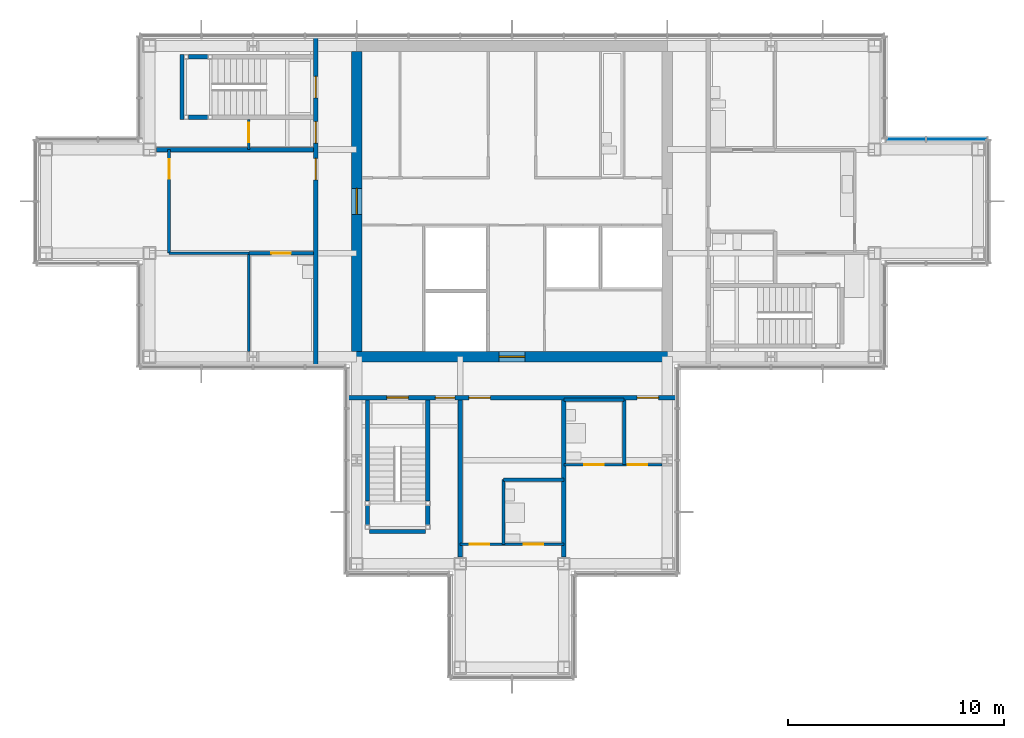
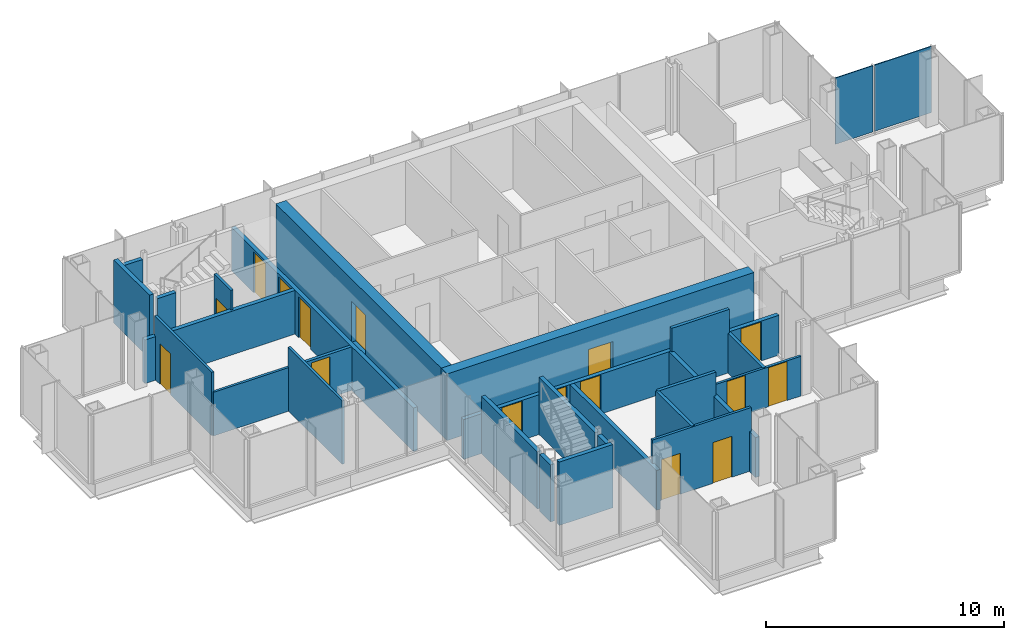
# One storey, part 10 of 15: 26 walls, 16 doors, 2 plates, 16 openings, 1 element without a shape of its own.
"""IFC4 building model written with IfcOpenShell, lengths in metres."""

from ifc_helpers import new_model, si_unit, direction, frame, frame_2d, origin, origin_2d, place, context, subcontext, project, spatial, rectangle, extrude, material, layer, layer_set, type_object, element, fill, aggregate, save


model = new_model("IFC4")

# Units and contexts
model_context = context("Model", 3, precision=1e-05, world=origin(), true_north=direction((0.0, 1.0)))
body_context = subcontext(model_context, "Body", "Model", "MODEL_VIEW")
ifc_project = project(units=[si_unit("LENGTHUNIT", "METRE"), si_unit("AREAUNIT", "SQUARE_METRE"), si_unit("VOLUMEUNIT", "CUBIC_METRE"), si_unit("PLANEANGLEUNIT", "RADIAN"), si_unit("MASSUNIT", "GRAM", prefix="KILO")], contexts=[model_context])

# Site, building, storey
site_placement = place(None, origin())
site = spatial("IfcSite", under=ifc_project, at=site_placement, CompositionType="ELEMENT")
building_placement = place(site_placement, origin())
building = spatial("IfcBuilding", under=site, at=building_placement, Name="Kvirike Care Tower", CompositionType="ELEMENT")
storey_placement = place(building_placement, frame((0.0, 0.0, 240.0)))
storey = spatial("IfcBuildingStorey", under=building, at=storey_placement, Name="L66", CompositionType="ELEMENT", Elevation=240.0)

# Curtain wall, plates
ifc_material_1 = material(Name="Anodised aluminium stick system", Category="aluminium")
curtain_wall_type = type_object("IfcCurtainWallType", Name="CW-D STICK CURTAIN WALL", PredefinedType="NOTDEFINED", material=ifc_material_1)
curtain_wall_placement = place(storey_placement, origin())
curtain_wall = element("IfcCurtainWall", 1, at=curtain_wall_placement, inside=storey, type_object=curtain_wall_type, Name="Curtain wall L66 face 5", PredefinedType="NOTDEFINED")
ifc_material_2 = material(Name="Tinted double glazed unit", Category="glass")
ifc_layer_1 = layer(ifc_material_2, 0.0439453125)
ifc_layer_set_1 = layer_set([ifc_layer_1], Name="TINTED VISION PANEL 44")
plate_type = type_object("IfcPlateType", Name="TINTED VISION PANEL 44", PredefinedType="CURTAIN_PANEL", material=ifc_layer_set_1)
plate_1_placement = place(storey_placement, frame((42.2236328125, 38.8798828125, 0.10009765625), z_axis=(0.0, 0.0, 1.0), x_axis=(-1.0, 0.0, 0.0)))
plate_1 = element("IfcPlate", 2, at=plate_1_placement, type_object=plate_type, Name="CW-D panel L66 face 5.1", PredefinedType="CURTAIN_PANEL", context=body_context, shape_type="SweptSolid", body=[
    extrude(rectangle(XDim=2.782470703125, YDim=0.0439453125, at=origin_2d()), origin(), (0.0, 0.0, 1.0), 3.39990234375),
])
plate_2_placement = place(storey_placement, frame((39.856201171875, 38.8798828125, 0.10009765625), z_axis=(0.0, 0.0, 1.0), x_axis=(-1.0, 0.0, 0.0)))
plate_2 = element("IfcPlate", 3, at=plate_2_placement, type_object=plate_type, Name="CW-D panel L66 face 5.2", PredefinedType="CURTAIN_PANEL", context=body_context, shape_type="SweptSolid", body=[
    extrude(rectangle(XDim=1.822509765625, YDim=0.0439453125, at=origin_2d()), origin(), (0.0, 0.0, 1.0), 3.39990234375),
])
aggregate(curtain_wall, [plate_1, plate_2])

# Wall, opening, door
ifc_material_3 = material(Name="Moisture-resistant board partition", Category="gypsum")
ifc_layer_2 = layer(ifc_material_3, 0.14990234375)
ifc_layer_set_2 = layer_set([ifc_layer_2], Name="BATHROOM WALL 150")
wall_type_1 = type_object("IfcWallType", Name="BATHROOM WALL 150", PredefinedType="PARTITIONING", material=ifc_layer_set_2)
wall_1_placement = place(storey_placement, frame((9.39990234375, 33.60009765625, 0.0), z_axis=(0.0, 0.0, 1.0), x_axis=(1.0, 0.0, 0.0)))
wall_1 = element("IfcWall", 4, at=wall_1_placement, inside=storey, type_object=wall_type_1, Name="Bathroom Wall 150 L66", PredefinedType="PARTITIONING", context=body_context, shape_type="SweptSolid", body=[
    extrude(rectangle(XDim=3.0, YDim=0.14990234375, at=frame_2d((1.5, 0.0))), origin(), (0.0, 0.0, 1.0), 2.239990234375),
])
opening_1_placement = place(wall_1_placement, frame((1.050048828125, 0.0, 0.0)))
opening_1 = element("IfcOpeningElement", 5, at=opening_1_placement, cuts=wall_1, Name="Opening 66-002", PredefinedType="OPENING", context=body_context, shape_type="SweptSolid", body=[
    extrude(rectangle(XDim=0.89990234375, YDim=2.10009765625, at=frame_2d((0.449951171875, 1.050048828125))), frame((0.0, 0.08544921875, 0.0), z_axis=(0.0, -1.0, 0.0), x_axis=(1.0, 0.0, 0.0)), (0.0, 0.0, 1.0), 0.1708984375),
])
ifc_material_4 = material(Name="Timber door set", Category="wood")
door_type_1 = type_object("IfcDoorType", Name="BATHROOM DOOR 900", OperationType="SINGLE_SWING_RIGHT", PredefinedType="DOOR", material=ifc_material_4)
door_1_placement = place(opening_1_placement, frame((0.89990234375, 0.0, 0.0), z_axis=(0.0, 0.0, 1.0), x_axis=(-1.0, 0.0, 0.0)))
door_1 = element("IfcDoor", 6, at=door_1_placement, inside=storey, type_object=door_type_1, Name="Accessible WC door", OperationType="SINGLE_SWING_RIGHT", OverallHeight=2.10009765625, OverallWidth=0.89990234375, PredefinedType="DOOR", context=body_context, shape_type="SweptSolid", body=[
    extrude(rectangle(XDim=0.89990234375, YDim=2.10009765625, at=frame_2d((0.449951171875, 1.050048828125))), frame((0.0, 0.02197265625, 0.0), z_axis=(0.0, -1.0, 0.0), x_axis=(1.0, 0.0, 0.0)), (0.0, 0.0, 1.0), 0.0439453125),
])
fill(opening_1, door_1)

# Walls
wall_2_placement = place(storey_placement, frame((21.199951171875, 20.10009765625, 0.0), z_axis=(0.0, 0.0, 1.0), x_axis=(0.0, 1.0, 0.0)))
element("IfcWall", 7, at=wall_2_placement, inside=storey, type_object=wall_type_1, Name="Bathroom Wall 150 L66", PredefinedType="PARTITIONING", context=body_context, shape_type="SweptSolid", body=[
    extrude(rectangle(XDim=3.0, YDim=0.14990234375, at=frame_2d((1.5, 0.0))), origin(), (0.0, 0.0, 1.0), 3.25),
])
wall_3_placement = place(storey_placement, frame((21.199951171875, 23.10009765625, 0.0), z_axis=(0.0, 0.0, 1.0), x_axis=(1.0, 0.0, 0.0)))
element("IfcWall", 8, at=wall_3_placement, inside=storey, type_object=wall_type_1, Name="Bathroom Wall 150 L66", PredefinedType="PARTITIONING", context=body_context, shape_type="SweptSolid", body=[
    extrude(rectangle(XDim=2.800048828125, YDim=0.14990234375, at=frame_2d((1.39990234375, 0.0))), origin(), (0.0, 0.0, 1.0), 3.25),
])
wall_4_placement = place(storey_placement, frame((26.800048828125, 23.800048828125, 0.0), z_axis=(0.0, 0.0, 1.0), x_axis=(0.0, 1.0, 0.0)))
element("IfcWall", 9, at=wall_4_placement, inside=storey, type_object=wall_type_1, Name="Bathroom Wall 150 L66", PredefinedType="PARTITIONING", context=body_context, shape_type="SweptSolid", body=[
    extrude(rectangle(XDim=3.0, YDim=0.14990234375, at=frame_2d((1.5, 0.0))), origin(), (0.0, 0.0, 1.0), 2.0400390625),
])
wall_5_placement = place(storey_placement, frame((24.0, 26.800048828125, 0.0), z_axis=(0.0, 0.0, 1.0), x_axis=(1.0, 0.0, 0.0)))
element("IfcWall", 10, at=wall_5_placement, inside=storey, type_object=wall_type_1, Name="Bathroom Wall 150 L66", PredefinedType="PARTITIONING", context=body_context, shape_type="SweptSolid", body=[
    extrude(rectangle(XDim=2.800048828125, YDim=0.14990234375, at=frame_2d((1.39990234375, 0.0))), origin(), (0.0, 0.0, 1.0), 3.25),
])

# Wall, opening, door
ifc_material_5 = material(Name="Concrete C40/50", Category="concrete")
ifc_layer_3 = layer(ifc_material_5, 0.5)
ifc_layer_set_3 = layer_set([ifc_layer_3], Name="CORE WALL 500 C40-50")
wall_type_2 = type_object("IfcWallType", Name="CORE WALL 500 C40-50", PredefinedType="SHEAR", material=ifc_layer_set_3)
wall_6_placement = place(storey_placement, frame((14.14990234375, 28.800048828125, -0.169921875), z_axis=(0.0, 0.0, 1.0), x_axis=(1.0, 0.0, 0.0)))
wall_6 = element("IfcWall", 11, at=wall_6_placement, inside=storey, type_object=wall_type_2, Name="Core wall S L66", PredefinedType="SHEAR", context=body_context, shape_type="SweptSolid", body=[
    extrude(rectangle(XDim=14.900146484375, YDim=0.5, at=frame_2d((7.4501953125, 0.0))), origin(), (0.0, 0.0, 1.0), 3.419921875),
])
opening_2_placement = place(wall_6_placement, frame((6.85009765625, 0.0, 0.169921875)))
opening_2 = element("IfcOpeningElement", 12, at=opening_2_placement, cuts=wall_6, Name="Opening 66-034", PredefinedType="OPENING", context=body_context, shape_type="SweptSolid", body=[
    extrude(rectangle(XDim=1.199951171875, YDim=2.10009765625, at=frame_2d((0.60009765625, 1.050048828125))), frame((0.0, 0.260498046875, 0.0), z_axis=(0.0, -1.0, 0.0), x_axis=(1.0, 0.0, 0.0)), (0.0, 0.0, 1.0), 0.52099609375),
])
ifc_material_6 = material(Name="Timber door set", Category="wood")
door_type_2 = type_object("IfcDoorType", Name="CORE DOOR 1200", OperationType="SINGLE_SWING_LEFT", PredefinedType="DOOR", material=ifc_material_6)
door_2_placement = place(opening_2_placement, origin())
door_2 = element("IfcDoor", 13, at=door_2_placement, inside=storey, type_object=door_type_2, Name="Core door S L66", OperationType="SINGLE_SWING_LEFT", OverallHeight=2.10009765625, OverallWidth=1.199951171875, PredefinedType="DOOR", context=body_context, shape_type="SweptSolid", body=[
    extrude(rectangle(XDim=1.199951171875, YDim=2.10009765625, at=frame_2d((0.60009765625, 1.050048828125))), frame((0.0, 0.02685546875, 0.0), z_axis=(0.0, -1.0, 0.0), x_axis=(1.0, 0.0, 0.0)), (0.0, 0.0, 1.0), 0.053955078125),
])
fill(opening_2, door_2)

wall_7_placement = place(storey_placement, frame((14.39990234375, 42.949951171875, -0.169921875), z_axis=(0.0, 0.0, 1.0), x_axis=(0.0, -1.0, 0.0)))
wall_7 = element("IfcWall", 14, at=wall_7_placement, inside=storey, type_object=wall_type_2, Name="Core wall W L66", PredefinedType="SHEAR", context=body_context, shape_type="SweptSolid", body=[
    extrude(rectangle(XDim=13.89990234375, YDim=0.5, at=frame_2d((6.949951171875, 0.0))), origin(), (0.0, 0.0, 1.0), 3.419921875),
])
opening_3_placement = place(wall_7_placement, frame((6.35009765625, 0.0, 0.169921875)))
opening_3 = element("IfcOpeningElement", 15, at=opening_3_placement, cuts=wall_7, Name="Opening 66-035", PredefinedType="OPENING", context=body_context, shape_type="SweptSolid", body=[
    extrude(rectangle(XDim=1.199951171875, YDim=2.10009765625, at=frame_2d((0.60009765625, 1.050048828125))), frame((0.0, 0.260498046875, 0.0), z_axis=(0.0, -1.0, 0.0), x_axis=(1.0, 0.0, 0.0)), (0.0, 0.0, 1.0), 0.52099609375),
])
door_3_placement = place(opening_3_placement, origin())
door_3 = element("IfcDoor", 16, at=door_3_placement, inside=storey, type_object=door_type_2, Name="Core door W L66", OperationType="SINGLE_SWING_LEFT", OverallHeight=2.10009765625, OverallWidth=1.199951171875, PredefinedType="DOOR", context=body_context, shape_type="SweptSolid", body=[
    extrude(rectangle(XDim=1.199951171875, YDim=2.10009765625, at=frame_2d((0.60009765625, 1.050048828125))), frame((0.0, 0.02685546875, 0.0), z_axis=(0.0, -1.0, 0.0), x_axis=(1.0, 0.0, 0.0)), (0.0, 0.0, 1.0), 0.053955078125),
])
fill(opening_3, door_3)

# Wall, openings, doors
ifc_material_7 = material(Name="Plasterboard corridor wall", Category="gypsum")
ifc_layer_4 = layer(ifc_material_7, 0.199951171875)
ifc_layer_set_4 = layer_set([ifc_layer_4], Name="CORRIDOR WALL 200")
wall_type_3 = type_object("IfcWallType", Name="CORRIDOR WALL 200", PredefinedType="PARTITIONING", material=ifc_layer_set_4)
wall_8_placement = place(storey_placement, frame((12.5, 43.655029296875, 0.0), z_axis=(0.0, 0.0, 1.0), x_axis=(0.0, -1.0, 0.0)))
wall_8 = element("IfcWall", 17, at=wall_8_placement, inside=storey, type_object=wall_type_3, Name="Corridor Wall 200 L66", PredefinedType="PARTITIONING", context=body_context, shape_type="SweptSolid", body=[
    extrude(rectangle(XDim=15.31005859375, YDim=0.199951171875, at=frame_2d((7.655029296875, 0.0))), origin(), (0.0, 0.0, 1.0), 2.239990234375),
])
opening_4_placement = place(wall_8_placement, frame((1.85498046875, 0.0, 0.0)))
opening_4 = element("IfcOpeningElement", 18, at=opening_4_placement, cuts=wall_8, Name="Opening 66-004", PredefinedType="OPENING", context=body_context, shape_type="SweptSolid", body=[
    extrude(rectangle(XDim=1.0, YDim=2.10009765625, at=frame_2d((0.5, 1.050048828125))), frame((0.0, 0.110595703125, 0.0), z_axis=(0.0, -1.0, 0.0), x_axis=(1.0, 0.0, 0.0)), (0.0, 0.0, 1.0), 0.220947265625),
])
opening_5_placement = place(wall_8_placement, frame((3.955078125, 0.0, 0.0)))
opening_5 = element("IfcOpeningElement", 19, at=opening_5_placement, cuts=wall_8, Name="Opening 66-005", PredefinedType="OPENING", context=body_context, shape_type="SweptSolid", body=[
    extrude(rectangle(XDim=1.0, YDim=2.10009765625, at=frame_2d((0.5, 1.050048828125))), frame((0.0, 0.110595703125, 0.0), z_axis=(0.0, -1.0, 0.0), x_axis=(1.0, 0.0, 0.0)), (0.0, 0.0, 1.0), 0.220947265625),
])
opening_6_placement = place(wall_8_placement, frame((5.655029296875, 0.0, 0.0)))
opening_6 = element("IfcOpeningElement", 20, at=opening_6_placement, cuts=wall_8, Name="Opening 66-006", PredefinedType="OPENING", context=body_context, shape_type="SweptSolid", body=[
    extrude(rectangle(XDim=1.0, YDim=2.10009765625, at=frame_2d((0.5, 1.050048828125))), frame((0.0, 0.110595703125, 0.0), z_axis=(0.0, -1.0, 0.0), x_axis=(1.0, 0.0, 0.0)), (0.0, 0.0, 1.0), 0.220947265625),
])
ifc_material_8 = material(Name="Timber door set", Category="wood")
door_type_3 = type_object("IfcDoorType", Name="FLAT ENTRANCE DOOR 1000", OperationType="SINGLE_SWING_LEFT", PredefinedType="DOOR", material=ifc_material_8)
door_4_placement = place(opening_5_placement, frame((1.0, 0.0, 0.0), z_axis=(0.0, 0.0, 1.0), x_axis=(-1.0, 0.0, 0.0)))
door_4 = element("IfcDoor", 21, at=door_4_placement, inside=storey, type_object=door_type_3, Name="Care base entrance", OperationType="SINGLE_SWING_LEFT", OverallHeight=2.10009765625, OverallWidth=1.0, PredefinedType="DOOR", context=body_context, shape_type="SweptSolid", body=[
    extrude(rectangle(XDim=1.0, YDim=2.10009765625, at=frame_2d((0.5, 1.050048828125))), frame((0.0, 0.02685546875, 0.0), z_axis=(0.0, -1.0, 0.0), x_axis=(1.0, 0.0, 0.0)), (0.0, 0.0, 1.0), 0.053955078125),
])
fill(opening_5, door_4)
door_5_placement = place(opening_6_placement, frame((1.0, 0.0, 0.0), z_axis=(0.0, 0.0, 1.0), x_axis=(-1.0, 0.0, 0.0)))
door_5 = element("IfcDoor", 22, at=door_5_placement, inside=storey, type_object=door_type_3, Name="Family room entrance", OperationType="SINGLE_SWING_LEFT", OverallHeight=2.10009765625, OverallWidth=1.0, PredefinedType="DOOR", context=body_context, shape_type="SweptSolid", body=[
    extrude(rectangle(XDim=1.0, YDim=2.10009765625, at=frame_2d((0.5, 1.050048828125))), frame((0.0, 0.02685546875, 0.0), z_axis=(0.0, -1.0, 0.0), x_axis=(1.0, 0.0, 0.0)), (0.0, 0.0, 1.0), 0.053955078125),
])
fill(opening_6, door_5)
ifc_material_9 = material(Name="Timber door set", Category="wood")
door_type_4 = type_object("IfcDoorType", Name="STAIR DOOR 1000", OperationType="SINGLE_SWING_LEFT", PredefinedType="DOOR", material=ifc_material_9)
door_6_placement = place(opening_4_placement, frame((1.0, 0.0, 0.0), z_axis=(0.0, 0.0, 1.0), x_axis=(-1.0, 0.0, 0.0)))
door_6 = element("IfcDoor", 23, at=door_6_placement, inside=storey, type_object=door_type_4, Name="Stair 1 door", OperationType="SINGLE_SWING_RIGHT", OverallHeight=2.10009765625, OverallWidth=1.0, PredefinedType="DOOR", context=body_context, shape_type="SweptSolid", body=[
    extrude(rectangle(XDim=1.0, YDim=2.10009765625, at=frame_2d((0.5, 1.050048828125))), frame((0.0, 0.031982421875, 0.0), z_axis=(0.0, -1.0, 0.0), x_axis=(1.0, 0.0, 0.0)), (0.0, 0.0, 1.0), 0.06396484375),
])
fill(opening_4, door_6)

wall_9_placement = place(storey_placement, frame((13.945068359375, 26.89990234375, 0.0), z_axis=(0.0, 0.0, 1.0), x_axis=(1.0, 0.0, 0.0)))
wall_9 = element("IfcWall", 24, at=wall_9_placement, inside=storey, type_object=wall_type_3, Name="Corridor Wall 200 L66", PredefinedType="PARTITIONING", context=body_context, shape_type="SweptSolid", body=[
    extrude(rectangle(XDim=15.309814453125, YDim=0.199951171875, at=frame_2d((7.65478515625, 0.0))), origin(), (0.0, 0.0, 1.0), 2.0400390625),
])
opening_7_placement = place(wall_9_placement, frame((1.85498046875, 0.0, 0.0)))
opening_7 = element("IfcOpeningElement", 25, at=opening_7_placement, cuts=wall_9, Name="Opening 66-011", PredefinedType="OPENING", context=body_context, shape_type="SweptSolid", body=[
    extrude(rectangle(XDim=1.0, YDim=2.0, at=frame_2d((0.5, 1.0))), frame((0.0, 0.110595703125, 0.0), z_axis=(0.0, -1.0, 0.0), x_axis=(1.0, 0.0, 0.0)), (0.0, 0.0, 1.0), 0.220947265625),
])
opening_8_placement = place(wall_9_placement, frame((4.10498046875, 0.0, 0.0)))
opening_8 = element("IfcOpeningElement", 26, at=opening_8_placement, cuts=wall_9, Name="Opening 66-012", PredefinedType="OPENING", context=body_context, shape_type="SweptSolid", body=[
    extrude(rectangle(XDim=0.89990234375, YDim=2.0, at=frame_2d((0.449951171875, 1.0))), frame((0.0, 0.110595703125, 0.0), z_axis=(0.0, -1.0, 0.0), x_axis=(1.0, 0.0, 0.0)), (0.0, 0.0, 1.0), 0.220947265625),
])
opening_9_placement = place(wall_9_placement, frame((5.655029296875, 0.0, 0.0)))
opening_9 = element("IfcOpeningElement", 27, at=opening_9_placement, cuts=wall_9, Name="Opening 66-013", PredefinedType="OPENING", context=body_context, shape_type="SweptSolid", body=[
    extrude(rectangle(XDim=1.0, YDim=2.0, at=frame_2d((0.5, 1.0))), frame((0.0, 0.110595703125, 0.0), z_axis=(0.0, -1.0, 0.0), x_axis=(1.0, 0.0, 0.0)), (0.0, 0.0, 1.0), 0.220947265625),
])
opening_10_placement = place(wall_9_placement, frame((13.455078125, 0.0, 0.0)))
opening_10 = element("IfcOpeningElement", 28, at=opening_10_placement, cuts=wall_9, Name="Opening 66-014", PredefinedType="OPENING", context=body_context, shape_type="SweptSolid", body=[
    extrude(rectangle(XDim=1.0, YDim=2.0, at=frame_2d((0.5, 1.0))), frame((0.0, 0.110595703125, 0.0), z_axis=(0.0, -1.0, 0.0), x_axis=(1.0, 0.0, 0.0)), (0.0, 0.0, 1.0), 0.220947265625),
])
ifc_material_10 = material(Name="Timber door set", Category="wood")
door_type_5 = type_object("IfcDoorType", Name="FLAT ENTRANCE DOOR 1000 x 2000", OperationType="SINGLE_SWING_LEFT", PredefinedType="DOOR", material=ifc_material_10)
door_7_placement = place(opening_9_placement, frame((1.0, 0.0, 0.0), z_axis=(0.0, 0.0, 1.0), x_axis=(-1.0, 0.0, 0.0)))
door_7 = element("IfcDoor", 29, at=door_7_placement, inside=storey, type_object=door_type_5, Name="Palliative care suite entrance", OperationType="SINGLE_SWING_LEFT", OverallHeight=2.0, OverallWidth=1.0, PredefinedType="DOOR", context=body_context, shape_type="SweptSolid", body=[
    extrude(rectangle(XDim=1.0, YDim=2.0, at=frame_2d((0.5, 1.0))), frame((0.0, 0.02685546875, 0.0), z_axis=(0.0, -1.0, 0.0), x_axis=(1.0, 0.0, 0.0)), (0.0, 0.0, 1.0), 0.053955078125),
])
fill(opening_9, door_7)
door_8_placement = place(opening_10_placement, frame((1.0, 0.0, 0.0), z_axis=(0.0, 0.0, 1.0), x_axis=(-1.0, 0.0, 0.0)))
door_8 = element("IfcDoor", 30, at=door_8_placement, inside=storey, type_object=door_type_5, Name="Palliative care suite entrance", OperationType="SINGLE_SWING_RIGHT", OverallHeight=2.0, OverallWidth=1.0, PredefinedType="DOOR", context=body_context, shape_type="SweptSolid", body=[
    extrude(rectangle(XDim=1.0, YDim=2.0, at=frame_2d((0.5, 1.0))), frame((0.0, 0.02685546875, 0.0), z_axis=(0.0, -1.0, 0.0), x_axis=(1.0, 0.0, 0.0)), (0.0, 0.0, 1.0), 0.053955078125),
])
fill(opening_10, door_8)
ifc_material_11 = material(Name="Timber door set", Category="wood")
door_type_6 = type_object("IfcDoorType", Name="STAIR DOOR 1000 x 2000", OperationType="SINGLE_SWING_LEFT", PredefinedType="DOOR", material=ifc_material_11)
door_9_placement = place(opening_7_placement, frame((1.0, 0.0, 0.0), z_axis=(0.0, 0.0, 1.0), x_axis=(-1.0, 0.0, 0.0)))
door_9 = element("IfcDoor", 31, at=door_9_placement, inside=storey, type_object=door_type_6, Name="Stair 5 door", OperationType="SINGLE_SWING_RIGHT", OverallHeight=2.0, OverallWidth=1.0, PredefinedType="DOOR", context=body_context, shape_type="SweptSolid", body=[
    extrude(rectangle(XDim=1.0, YDim=2.0, at=frame_2d((0.5, 1.0))), frame((0.0, 0.031982421875, 0.0), z_axis=(0.0, -1.0, 0.0), x_axis=(1.0, 0.0, 0.0)), (0.0, 0.0, 1.0), 0.06396484375),
])
fill(opening_7, door_9)
ifc_material_12 = material(Name="Timber door set", Category="wood")
door_type_7 = type_object("IfcDoorType", Name="STORE DOOR 900 x 2000", OperationType="SINGLE_SWING_LEFT", PredefinedType="DOOR", material=ifc_material_12)
door_10_placement = place(opening_8_placement, frame((0.89990234375, 0.0, 0.0), z_axis=(0.0, 0.0, 1.0), x_axis=(-1.0, 0.0, 0.0)))
door_10 = element("IfcDoor", 32, at=door_10_placement, inside=storey, type_object=door_type_7, Name="Housekeeping room door", OperationType="SINGLE_SWING_RIGHT", OverallHeight=2.0, OverallWidth=0.89990234375, PredefinedType="DOOR", context=body_context, shape_type="SweptSolid", body=[
    extrude(rectangle(XDim=0.89990234375, YDim=2.0, at=frame_2d((0.449951171875, 1.0))), frame((0.0, 0.02685546875, 0.0), z_axis=(0.0, -1.0, 0.0), x_axis=(1.0, 0.0, 0.0)), (0.0, 0.0, 1.0), 0.053955078125),
])
fill(opening_8, door_10)

# Wall, opening, door
ifc_material_13 = material(Name="Plasterboard partition", Category="gypsum")
ifc_layer_5 = layer(ifc_material_13, 0.1201171875)
ifc_layer_set_5 = layer_set([ifc_layer_5], Name="PARTITION 120")
wall_type_4 = type_object("IfcWallType", Name="PARTITION 120", PredefinedType="PARTITIONING", material=ifc_layer_set_5)
wall_10_placement = place(storey_placement, frame((9.39990234375, 39.800048828125, 0.0), z_axis=(0.0, 0.0, 1.0), x_axis=(0.0, -1.0, 0.0)))
wall_10 = element("IfcWall", 33, at=wall_10_placement, inside=storey, type_object=wall_type_4, Name="Partition 120 L66", PredefinedType="PARTITIONING", context=body_context, shape_type="SweptSolid", body=[
    extrude(rectangle(XDim=1.400146484375, YDim=0.1201171875, at=frame_2d((0.7001953125, 0.0))), origin(), (0.0, 0.0, 1.0), 3.25),
])
opening_11_placement = place(wall_10_placement, frame((0.14990234375, 0.0, 0.0)))
opening_11 = element("IfcOpeningElement", 34, at=opening_11_placement, cuts=wall_10, Name="Opening 66-001", PredefinedType="OPENING", context=body_context, shape_type="SweptSolid", body=[
    extrude(rectangle(XDim=0.89990234375, YDim=2.10009765625, at=frame_2d((0.449951171875, 1.050048828125))), frame((0.0, 0.070556640625, 0.0), z_axis=(0.0, -1.0, 0.0), x_axis=(1.0, 0.0, 0.0)), (0.0, 0.0, 1.0), 0.14111328125),
])
ifc_material_14 = material(Name="Timber door set", Category="wood")
door_type_8 = type_object("IfcDoorType", Name="INTERNAL DOOR 900", OperationType="SINGLE_SWING_LEFT", PredefinedType="DOOR", material=ifc_material_14)
door_11_placement = place(opening_11_placement, origin())
door_11 = element("IfcDoor", 35, at=door_11_placement, inside=storey, type_object=door_type_8, Name="Quiet room door", OperationType="SINGLE_SWING_RIGHT", OverallHeight=2.10009765625, OverallWidth=0.89990234375, PredefinedType="DOOR", context=body_context, shape_type="SweptSolid", body=[
    extrude(rectangle(XDim=0.89990234375, YDim=2.10009765625, at=frame_2d((0.449951171875, 1.050048828125))), frame((0.0, 0.02197265625, 0.0), z_axis=(0.0, -1.0, 0.0), x_axis=(1.0, 0.0, 0.0)), (0.0, 0.0, 1.0), 0.0439453125),
])
fill(opening_11, door_11)

wall_11_placement = place(storey_placement, frame((5.699951171875, 38.39990234375, 0.0), z_axis=(0.0, 0.0, 1.0), x_axis=(0.0, -1.0, 0.0)))
wall_11 = element("IfcWall", 36, at=wall_11_placement, inside=storey, type_object=wall_type_4, Name="Partition 120 L66", PredefinedType="PARTITIONING", context=body_context, shape_type="SweptSolid", body=[
    extrude(rectangle(XDim=4.7998046875, YDim=0.1201171875, at=frame_2d((2.39990234375, 0.0))), origin(), (0.0, 0.0, 1.0), 3.25),
])
opening_12_placement = place(wall_11_placement, frame((0.449951171875, 0.0, 0.0)))
opening_12 = element("IfcOpeningElement", 37, at=opening_12_placement, cuts=wall_11, Name="Opening 66-003", PredefinedType="OPENING", context=body_context, shape_type="SweptSolid", body=[
    extrude(rectangle(XDim=0.89990234375, YDim=2.10009765625, at=frame_2d((0.449951171875, 1.050048828125))), frame((0.0, 0.070556640625, 0.0), z_axis=(0.0, -1.0, 0.0), x_axis=(1.0, 0.0, 0.0)), (0.0, 0.0, 1.0), 0.14111328125),
])
door_12_placement = place(opening_12_placement, origin())
door_12 = element("IfcDoor", 38, at=door_12_placement, inside=storey, type_object=door_type_8, Name="Family room door", OperationType="SINGLE_SWING_RIGHT", OverallHeight=2.10009765625, OverallWidth=0.89990234375, PredefinedType="DOOR", context=body_context, shape_type="SweptSolid", body=[
    extrude(rectangle(XDim=0.89990234375, YDim=2.10009765625, at=frame_2d((0.449951171875, 1.050048828125))), frame((0.0, 0.02197265625, 0.0), z_axis=(0.0, -1.0, 0.0), x_axis=(1.0, 0.0, 0.0)), (0.0, 0.0, 1.0), 0.0439453125),
])
fill(opening_12, door_12)

# Walls
wall_12_placement = place(storey_placement, frame((9.39990234375, 33.60009765625, 0.0), z_axis=(0.0, 0.0, 1.0), x_axis=(0.0, -1.0, 0.0)))
element("IfcWall", 39, at=wall_12_placement, inside=storey, type_object=wall_type_4, Name="Partition 120 L66", PredefinedType="PARTITIONING", context=body_context, shape_type="SweptSolid", body=[
    extrude(rectangle(XDim=4.55615234375, YDim=0.1201171875, at=frame_2d((2.278076171875, 0.0))), origin(), (0.0, 0.0, 1.0), 3.25),
])
wall_13_placement = place(storey_placement, frame((5.699951171875, 33.60009765625, 0.0), z_axis=(0.0, 0.0, 1.0), x_axis=(1.0, 0.0, 0.0)))
element("IfcWall", 40, at=wall_13_placement, inside=storey, type_object=wall_type_4, Name="Partition 120 L66", PredefinedType="PARTITIONING", context=body_context, shape_type="SweptSolid", body=[
    extrude(rectangle(XDim=3.699951171875, YDim=0.1201171875, at=frame_2d((1.85009765625, 0.0))), origin(), (0.0, 0.0, 1.0), 2.239990234375),
])

# Wall, openings, doors
wall_14_placement = place(storey_placement, frame((19.199951171875, 20.10009765625, 0.0), z_axis=(0.0, 0.0, 1.0), x_axis=(1.0, 0.0, 0.0)))
wall_14 = element("IfcWall", 41, at=wall_14_placement, inside=storey, type_object=wall_type_4, Name="Partition 120 L66", PredefinedType="PARTITIONING", context=body_context, shape_type="SweptSolid", body=[
    extrude(rectangle(XDim=4.800048828125, YDim=0.1201171875, at=frame_2d((2.39990234375, 0.0))), origin(), (0.0, 0.0, 1.0), 3.25),
])
opening_13_placement = place(wall_14_placement, frame((0.449951171875, 0.0, 0.0)))
opening_13 = element("IfcOpeningElement", 42, at=opening_13_placement, cuts=wall_14, Name="Opening 66-007", PredefinedType="OPENING", context=body_context, shape_type="SweptSolid", body=[
    extrude(rectangle(XDim=0.89990234375, YDim=2.10009765625, at=frame_2d((0.449951171875, 1.050048828125))), frame((0.0, 0.070556640625, 0.0), z_axis=(0.0, -1.0, 0.0), x_axis=(1.0, 0.0, 0.0)), (0.0, 0.0, 1.0), 0.14111328125),
])
opening_14_placement = place(wall_14_placement, frame((2.949951171875, 0.0, 0.0)))
opening_14 = element("IfcOpeningElement", 43, at=opening_14_placement, cuts=wall_14, Name="Opening 66-008", PredefinedType="OPENING", context=body_context, shape_type="SweptSolid", body=[
    extrude(rectangle(XDim=0.89990234375, YDim=2.10009765625, at=frame_2d((0.449951171875, 1.050048828125))), frame((0.0, 0.070556640625, 0.0), z_axis=(0.0, -1.0, 0.0), x_axis=(1.0, 0.0, 0.0)), (0.0, 0.0, 1.0), 0.14111328125),
])
door_13_placement = place(opening_14_placement, origin())
door_13 = element("IfcDoor", 44, at=door_13_placement, inside=storey, type_object=door_type_1, Name="En-suite door", OperationType="SINGLE_SWING_RIGHT", OverallHeight=2.10009765625, OverallWidth=0.89990234375, PredefinedType="DOOR", context=body_context, shape_type="SweptSolid", body=[
    extrude(rectangle(XDim=0.89990234375, YDim=2.10009765625, at=frame_2d((0.449951171875, 1.050048828125))), frame((0.0, 0.02197265625, 0.0), z_axis=(0.0, -1.0, 0.0), x_axis=(1.0, 0.0, 0.0)), (0.0, 0.0, 1.0), 0.0439453125),
])
fill(opening_14, door_13)
door_14_placement = place(opening_13_placement, origin())
door_14 = element("IfcDoor", 45, at=door_14_placement, inside=storey, type_object=door_type_8, Name="Palliative care suite door", OperationType="SINGLE_SWING_RIGHT", OverallHeight=2.10009765625, OverallWidth=0.89990234375, PredefinedType="DOOR", context=body_context, shape_type="SweptSolid", body=[
    extrude(rectangle(XDim=0.89990234375, YDim=2.10009765625, at=frame_2d((0.449951171875, 1.050048828125))), frame((0.0, 0.02197265625, 0.0), z_axis=(0.0, -1.0, 0.0), x_axis=(1.0, 0.0, 0.0)), (0.0, 0.0, 1.0), 0.0439453125),
])
fill(opening_13, door_14)

wall_15_placement = place(storey_placement, frame((24.0, 23.800048828125, 0.0), z_axis=(0.0, 0.0, 1.0), x_axis=(1.0, 0.0, 0.0)))
wall_15 = element("IfcWall", 46, at=wall_15_placement, inside=storey, type_object=wall_type_4, Name="Partition 120 L66", PredefinedType="PARTITIONING", context=body_context, shape_type="SweptSolid", body=[
    extrude(rectangle(XDim=4.555908203125, YDim=0.1201171875, at=frame_2d((2.27783203125, 0.0))), origin(), (0.0, 0.0, 1.0), 2.0400390625),
])
opening_15_placement = place(wall_15_placement, frame((2.97509765625, 0.0, 0.0)))
opening_15 = element("IfcOpeningElement", 47, at=opening_15_placement, cuts=wall_15, Name="Opening 66-009", PredefinedType="OPENING", context=body_context, shape_type="SweptSolid", body=[
    extrude(rectangle(XDim=0.89990234375, YDim=2.0, at=frame_2d((0.449951171875, 1.0))), frame((0.0, 0.070556640625, 0.0), z_axis=(0.0, -1.0, 0.0), x_axis=(1.0, 0.0, 0.0)), (0.0, 0.0, 1.0), 0.14111328125),
])
opening_16_placement = place(wall_15_placement, frame((0.949951171875, 0.0, 0.0)))
opening_16 = element("IfcOpeningElement", 48, at=opening_16_placement, cuts=wall_15, Name="Opening 66-010", PredefinedType="OPENING", context=body_context, shape_type="SweptSolid", body=[
    extrude(rectangle(XDim=0.89990234375, YDim=2.0, at=frame_2d((0.449951171875, 1.0))), frame((0.0, 0.070556640625, 0.0), z_axis=(0.0, -1.0, 0.0), x_axis=(1.0, 0.0, 0.0)), (0.0, 0.0, 1.0), 0.14111328125),
])
ifc_material_15 = material(Name="Timber door set", Category="wood")
door_type_9 = type_object("IfcDoorType", Name="BATHROOM DOOR 900 x 2000", OperationType="SINGLE_SWING_RIGHT", PredefinedType="DOOR", material=ifc_material_15)
door_15_placement = place(opening_16_placement, origin())
door_15 = element("IfcDoor", 49, at=door_15_placement, inside=storey, type_object=door_type_9, Name="En-suite door", OperationType="SINGLE_SWING_RIGHT", OverallHeight=2.0, OverallWidth=0.89990234375, PredefinedType="DOOR", context=body_context, shape_type="SweptSolid", body=[
    extrude(rectangle(XDim=0.89990234375, YDim=2.0, at=frame_2d((0.449951171875, 1.0))), frame((0.0, 0.02197265625, 0.0), z_axis=(0.0, -1.0, 0.0), x_axis=(1.0, 0.0, 0.0)), (0.0, 0.0, 1.0), 0.0439453125),
])
fill(opening_16, door_15)
ifc_material_16 = material(Name="Timber door set", Category="wood")
door_type_10 = type_object("IfcDoorType", Name="INTERNAL DOOR 900 x 2000", OperationType="SINGLE_SWING_LEFT", PredefinedType="DOOR", material=ifc_material_16)
door_16_placement = place(opening_15_placement, origin())
door_16 = element("IfcDoor", 50, at=door_16_placement, inside=storey, type_object=door_type_10, Name="Palliative care suite door", OperationType="SINGLE_SWING_RIGHT", OverallHeight=2.0, OverallWidth=0.89990234375, PredefinedType="DOOR", context=body_context, shape_type="SweptSolid", body=[
    extrude(rectangle(XDim=0.89990234375, YDim=2.0, at=frame_2d((0.449951171875, 1.0))), frame((0.0, 0.02197265625, 0.0), z_axis=(0.0, -1.0, 0.0), x_axis=(1.0, 0.0, 0.0)), (0.0, 0.0, 1.0), 0.0439453125),
])
fill(opening_15, door_16)

# Walls
ifc_material_17 = material(Name="Plasterboard party wall", Category="gypsum")
ifc_layer_6 = layer(ifc_material_17, 0.199951171875)
ifc_layer_set_6 = layer_set([ifc_layer_6], Name="PARTY WALL 200")
wall_type_5 = type_object("IfcWallType", Name="PARTY WALL 200", PredefinedType="PARTITIONING", material=ifc_layer_set_6)
wall_16_placement = place(storey_placement, frame((5.1201171875, 38.39990234375, 0.0), z_axis=(0.0, 0.0, 1.0), x_axis=(1.0, 0.0, 0.0)))
element("IfcWall", 51, at=wall_16_placement, inside=storey, type_object=wall_type_5, Name="Party Wall 200 L66", PredefinedType="PARTITIONING", context=body_context, shape_type="SweptSolid", body=[
    extrude(rectangle(XDim=7.27978515625, YDim=0.199951171875, at=frame_2d((3.639892578125, 0.0))), origin(), (0.0, 0.0, 1.0), 2.239990234375),
])
for number, where, z_axis, x_axis, name in (
    (52, (19.199951171875, 19.52001953125, 0.0), (0.0, 0.0, 1.0), (0.0, 1.0, 0.0), "Party Wall 200 L66"),
    (53, (24.0, 19.52001953125, 0.0), (0.0, 0.0, 1.0), (0.0, 1.0, 0.0), "Party Wall 200 L66"),
):
    element("IfcWall", number, at=place(storey_placement, frame(where, z_axis=z_axis, x_axis=x_axis)), inside=storey, type_object=wall_type_5, Name=name, PredefinedType="PARTITIONING", context=body_context, shape_type="SweptSolid", body=[
        extrude(rectangle(XDim=7.280029296875, YDim=0.199951171875, at=frame_2d((3.64013671875, 0.0))), origin(), (0.0, 0.0, 1.0), 2.0400390625),
    ])
ifc_material_18 = material(Name="Concrete C40/50", Category="concrete")
ifc_layer_7 = layer(ifc_material_18, 0.199951171875)
ifc_layer_set_7 = layer_set([ifc_layer_7], Name="STAIR WALL 200")
wall_type_6 = type_object("IfcWallType", Name="STAIR WALL 200", PredefinedType="SOLIDWALL", material=ifc_layer_set_7)
for number, where, z_axis, x_axis, name in (
    (54, (6.60009765625, 42.699951171875, 0.0), (0.0, 0.0, 1.0), (1.0, 0.0, 0.0), "Stair Wall 200 L66"),
    (55, (6.60009765625, 39.89990234375, 0.0), (0.0, 0.0, 1.0), (1.0, 0.0, 0.0), "Stair Wall 200 L66"),
):
    element("IfcWall", number, at=place(storey_placement, frame(where, z_axis=z_axis, x_axis=x_axis)), inside=storey, type_object=wall_type_6, Name=name, PredefinedType="SOLIDWALL", context=body_context, shape_type="SweptSolid", body=[
        extrude(rectangle(XDim=0.89990234375, YDim=0.199951171875, at=frame_2d((0.449951171875, 0.0))), origin(), (0.0, 0.0, 1.0), 2.93994140625),
    ])
wall_17_placement = place(storey_placement, frame((6.300048828125, 42.800048828125, 0.0), z_axis=(0.0, 0.0, 1.0), x_axis=(0.0, -1.0, 0.0)))
element("IfcWall", 56, at=wall_17_placement, inside=storey, type_object=wall_type_6, Name="Stair Wall 200 L66", PredefinedType="SOLIDWALL", context=body_context, shape_type="SweptSolid", body=[
    extrude(rectangle(XDim=3.0, YDim=0.199951171875, at=frame_2d((1.5, 0.0))), origin(), (0.0, 0.0, 1.0), 3.25),
])
wall_18_placement = place(storey_placement, frame((14.89990234375, 21.0, 0.0), z_axis=(0.0, 0.0, 1.0), x_axis=(0.0, 1.0, 0.0)))
element("IfcWall", 57, at=wall_18_placement, inside=storey, type_object=wall_type_6, Name="Stair Wall 200 L66", PredefinedType="SOLIDWALL", context=body_context, shape_type="SweptSolid", body=[
    extrude(rectangle(XDim=0.89990234375, YDim=0.199951171875, at=frame_2d((0.449951171875, 0.0))), origin(), (0.0, 0.0, 1.0), 2.93994140625),
])
wall_19_placement = place(storey_placement, frame((14.89990234375, 22.10009765625, 0.0), z_axis=(0.0, 0.0, 1.0), x_axis=(0.0, 1.0, 0.0)))
element("IfcWall", 58, at=wall_19_placement, inside=storey, type_object=wall_type_6, Name="Stair Wall 200 L66", PredefinedType="SOLIDWALL", context=body_context, shape_type="SweptSolid", body=[
    extrude(rectangle(XDim=4.699951171875, YDim=0.199951171875, at=frame_2d((2.35009765625, 0.0))), origin(), (0.0, 0.0, 1.0), 2.93994140625),
])
wall_20_placement = place(storey_placement, frame((17.699951171875, 21.0, 0.0), z_axis=(0.0, 0.0, 1.0), x_axis=(0.0, 1.0, 0.0)))
element("IfcWall", 59, at=wall_20_placement, inside=storey, type_object=wall_type_6, Name="Stair Wall 200 L66", PredefinedType="SOLIDWALL", context=body_context, shape_type="SweptSolid", body=[
    extrude(rectangle(XDim=0.89990234375, YDim=0.199951171875, at=frame_2d((0.449951171875, 0.0))), origin(), (0.0, 0.0, 1.0), 2.93994140625),
])
wall_21_placement = place(storey_placement, frame((17.699951171875, 22.10009765625, 0.0), z_axis=(0.0, 0.0, 1.0), x_axis=(0.0, 1.0, 0.0)))
element("IfcWall", 60, at=wall_21_placement, inside=storey, type_object=wall_type_6, Name="Stair Wall 200 L66", PredefinedType="SOLIDWALL", context=body_context, shape_type="SweptSolid", body=[
    extrude(rectangle(XDim=4.699951171875, YDim=0.199951171875, at=frame_2d((2.35009765625, 0.0))), origin(), (0.0, 0.0, 1.0), 2.93994140625),
])
wall_22_placement = place(storey_placement, frame((15.0, 20.699951171875, 0.0), z_axis=(0.0, 0.0, 1.0), x_axis=(1.0, 0.0, 0.0)))
element("IfcWall", 61, at=wall_22_placement, inside=storey, type_object=wall_type_6, Name="Stair Wall 200 L66", PredefinedType="SOLIDWALL", context=body_context, shape_type="SweptSolid", body=[
    extrude(rectangle(XDim=2.60009765625, YDim=0.199951171875, at=frame_2d((1.300048828125, 0.0))), origin(), (0.0, 0.0, 1.0), 3.25),
])

save(model, "model.ifc")
